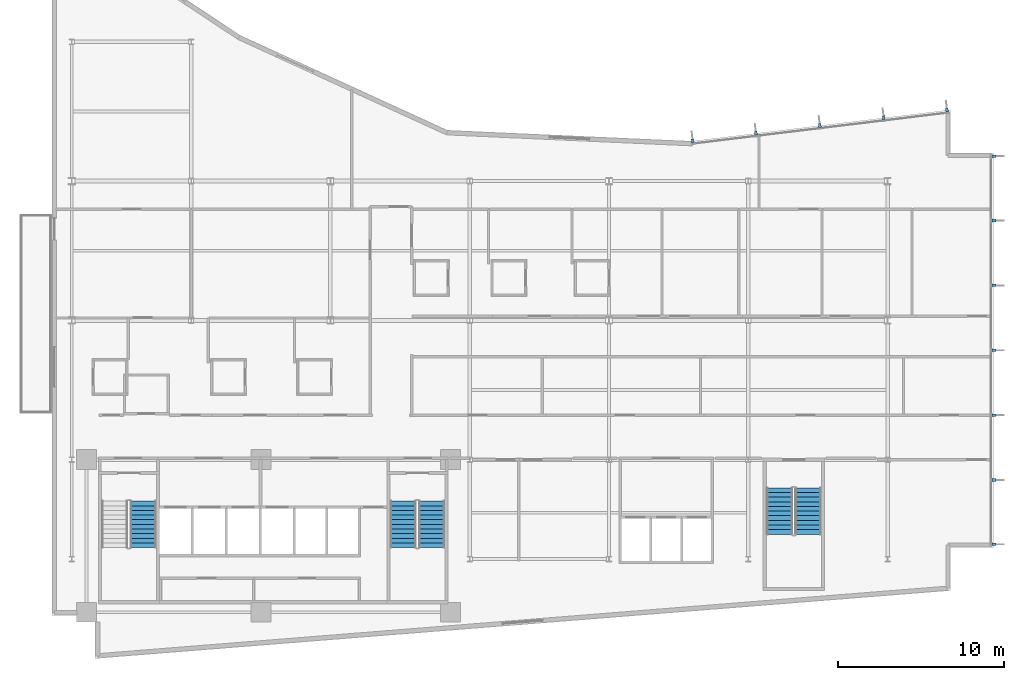
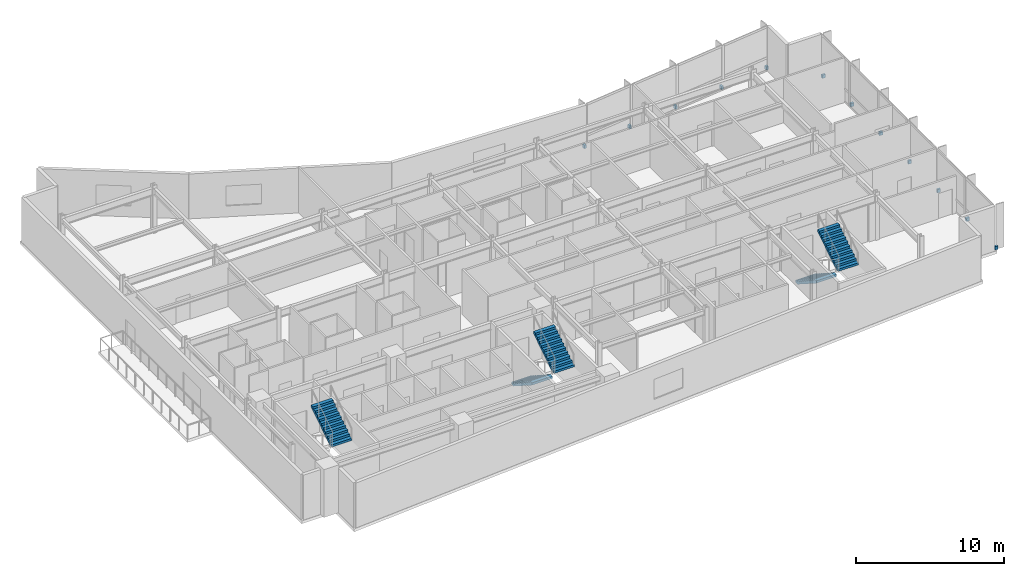
# One storey, part 14 of 18: 12 discrete accessories, 5 stair flights, 3 elements without a shape of their own.
"""IFC4 building model written with IfcOpenShell, lengths in metres."""

from ifc_helpers import new_model, si_unit, direction, frame, origin, origin_2d, place, context, subcontext, project, spatial, polyline, rectangle, outline, extrude, material, layer, layer_set, type_object, element, aggregate, save


model = new_model("IFC4")

# Units and contexts
model_context = context("Model", 3, precision=1e-05, world=origin(), true_north=direction((0.0, 1.0)))
body_context = subcontext(model_context, "Body", "Model", "MODEL_VIEW")
ifc_project = project(units=[si_unit("LENGTHUNIT", "METRE"), si_unit("AREAUNIT", "SQUARE_METRE"), si_unit("VOLUMEUNIT", "CUBIC_METRE"), si_unit("PLANEANGLEUNIT", "RADIAN"), si_unit("MASSUNIT", "GRAM", prefix="KILO")], contexts=[model_context])

# Site, building, storey
site_placement = place(None, origin())
site = spatial("IfcSite", under=ifc_project, at=site_placement, CompositionType="ELEMENT")
building_placement = place(site_placement, origin())
building = spatial("IfcBuilding", under=site, at=building_placement, Name="Varnakote Quay Hospital", CompositionType="ELEMENT")
storey_placement = place(building_placement, frame((0.0, 0.0, 123.10009765625)))
storey = spatial("IfcBuildingStorey", under=building, at=storey_placement, Name="L30", CompositionType="ELEMENT", Elevation=123.10009765625)

# Stair, stair flight
ifc_material_1 = material(Name="Concrete N40 (f'c 40 MPa)", Category="concrete")
stair_type = type_object("IfcStairType", Name="STR-CORE-1580", PredefinedType="HALF_TURN_STAIR", material=ifc_material_1)
stair_1_placement = place(storey_placement, origin())
stair_1 = element("IfcStair", 1, at=stair_1_placement, inside=storey, type_object=stair_type, Name="L30 Fire-Isolated Exit Stair ST-01", PredefinedType="HALF_TURN_STAIR")
ifc_material_2 = material(Name="Concrete N40 (f'c 40 MPa)", Category="concrete")
ifc_layer = layer(ifc_material_2, 0.159912109375)
ifc_layer_set = layer_set([ifc_layer], Name="Concrete N40 (f'c 40 MPa)")
stair_flight_type = type_object("IfcStairFlightType", Name="FLT-CORE-1580", PredefinedType="STRAIGHT", material=ifc_layer_set)
stair_flight_1_placement = place(storey_placement, frame((5.510009765625, 6.699951171875, 1.974853515625), z_axis=(0.0, 0.0, 1.0), x_axis=(0.0, 1.0, 0.0)))
stair_flight_1 = element("IfcStairFlight", 2, at=stair_flight_1_placement, type_object=stair_flight_type, Name="ST-01 flight 2", NumberOfRisers=11, NumberOfTreads=10, PredefinedType="STRAIGHT", RiserHeight=0.179545455, TreadLength=0.28, context=body_context, shape_type="SweptSolid", body=[
    extrude(outline(polyline([(0.0, 0.0), (0.0, 0.179443359375), (0.280029296875, 0.179443359375), (0.280029296875, 0.359130859375), (0.56005859375, 0.359130859375), (0.56005859375, 0.53857421875), (0.840087890625, 0.53857421875), (0.840087890625, 0.71826171875), (1.1201171875, 0.71826171875), (1.1201171875, 0.897705078125), (1.39990234375, 0.897705078125), (1.39990234375, 1.077392578125), (1.679931640625, 1.077392578125), (1.679931640625, 1.2568359375), (1.9599609375, 1.2568359375), (1.9599609375, 1.436279296875), (2.239990234375, 1.436279296875), (2.239990234375, 1.615966796875), (2.52001953125, 1.615966796875), (2.52001953125, 1.79541015625), (2.800048828125, 1.79541015625), (2.800048828125, 1.97509765625), (2.800048828125, 1.60546875), (0.296142578125, 0.0), (0.0, 0.0)])), frame((0.0, 0.7900390625, 0.0), z_axis=(0.0, -1.0, 0.0), x_axis=(1.0, 0.0, 0.0)), (0.0, 0.0, 1.0), 1.580078125),
])
aggregate(stair_1, [stair_flight_1])

# Stair, stair flights
stair_2_placement = place(storey_placement, origin())
stair_2 = element("IfcStair", 3, at=stair_2_placement, inside=storey, type_object=stair_type, Name="L30 Fire-Isolated Exit Stair ST-02", PredefinedType="HALF_TURN_STAIR")
stair_flight_2_placement = place(storey_placement, frame((21.18994140625, 9.5, 0.0), z_axis=(0.0, 0.0, 1.0), x_axis=(0.0, -1.0, 0.0)))
stair_flight_2 = element("IfcStairFlight", 4, at=stair_flight_2_placement, type_object=stair_flight_type, Name="ST-02 flight 1", NumberOfRisers=11, NumberOfTreads=10, PredefinedType="STRAIGHT", RiserHeight=0.179545455, TreadLength=0.28, context=body_context, shape_type="SweptSolid", body=[
    extrude(outline(polyline([(0.0, 0.0), (0.0, 0.179443359375), (0.280029296875, 0.179443359375), (0.280029296875, 0.359130859375), (0.56005859375, 0.359130859375), (0.56005859375, 0.53857421875), (0.840087890625, 0.53857421875), (0.840087890625, 0.71826171875), (1.1201171875, 0.71826171875), (1.1201171875, 0.897705078125), (1.39990234375, 0.897705078125), (1.39990234375, 1.077392578125), (1.679931640625, 1.077392578125), (1.679931640625, 1.2568359375), (1.9599609375, 1.2568359375), (1.9599609375, 1.436279296875), (2.239990234375, 1.436279296875), (2.239990234375, 1.615966796875), (2.52001953125, 1.615966796875), (2.52001953125, 1.79541015625), (2.800048828125, 1.79541015625), (2.800048828125, 1.97509765625), (2.800048828125, 1.60546875), (0.296142578125, 0.0), (0.0, 0.0)])), frame((0.0, 0.7900390625, 0.0), z_axis=(0.0, -1.0, 0.0), x_axis=(1.0, 0.0, 0.0)), (0.0, 0.0, 1.0), 1.580078125),
])
stair_flight_3_placement = place(storey_placement, frame((22.909912109375, 6.699951171875, 1.974853515625), z_axis=(0.0, 0.0, 1.0), x_axis=(0.0, 1.0, 0.0)))
stair_flight_3 = element("IfcStairFlight", 5, at=stair_flight_3_placement, type_object=stair_flight_type, Name="ST-02 flight 2", NumberOfRisers=11, NumberOfTreads=10, PredefinedType="STRAIGHT", RiserHeight=0.179545455, TreadLength=0.28, context=body_context, shape_type="SweptSolid", body=[
    extrude(outline(polyline([(0.0, 0.0), (0.0, 0.179443359375), (0.280029296875, 0.179443359375), (0.280029296875, 0.359130859375), (0.56005859375, 0.359130859375), (0.56005859375, 0.53857421875), (0.840087890625, 0.53857421875), (0.840087890625, 0.71826171875), (1.1201171875, 0.71826171875), (1.1201171875, 0.897705078125), (1.39990234375, 0.897705078125), (1.39990234375, 1.077392578125), (1.679931640625, 1.077392578125), (1.679931640625, 1.2568359375), (1.9599609375, 1.2568359375), (1.9599609375, 1.436279296875), (2.239990234375, 1.436279296875), (2.239990234375, 1.615966796875), (2.52001953125, 1.615966796875), (2.52001953125, 1.79541015625), (2.800048828125, 1.79541015625), (2.800048828125, 1.97509765625), (2.800048828125, 1.60546875), (0.296142578125, 0.0), (0.0, 0.0)])), frame((0.0, 0.7900390625, 0.0), z_axis=(0.0, -1.0, 0.0), x_axis=(1.0, 0.0, 0.0)), (0.0, 0.0, 1.0), 1.580078125),
])
aggregate(stair_2, [stair_flight_2, stair_flight_3])

stair_3_placement = place(storey_placement, origin())
stair_3 = element("IfcStair", 6, at=stair_3_placement, inside=storey, type_object=stair_type, Name="L30 Fire-Isolated Exit Stair ST-03", PredefinedType="HALF_TURN_STAIR")
stair_flight_4_placement = place(storey_placement, frame((43.889892578125, 10.300048828125, 0.0), z_axis=(0.0, 0.0, 1.0), x_axis=(0.0, -1.0, 0.0)))
stair_flight_4 = element("IfcStairFlight", 7, at=stair_flight_4_placement, type_object=stair_flight_type, Name="ST-03 flight 1", NumberOfRisers=11, NumberOfTreads=10, PredefinedType="STRAIGHT", RiserHeight=0.179545455, TreadLength=0.28, context=body_context, shape_type="SweptSolid", body=[
    extrude(outline(polyline([(0.0, 0.0), (0.0, 0.179443359375), (0.280029296875, 0.179443359375), (0.280029296875, 0.359130859375), (0.56005859375, 0.359130859375), (0.56005859375, 0.53857421875), (0.840087890625, 0.53857421875), (0.840087890625, 0.71826171875), (1.1201171875, 0.71826171875), (1.1201171875, 0.897705078125), (1.39990234375, 0.897705078125), (1.39990234375, 1.077392578125), (1.679931640625, 1.077392578125), (1.679931640625, 1.2568359375), (1.9599609375, 1.2568359375), (1.9599609375, 1.436279296875), (2.239990234375, 1.436279296875), (2.239990234375, 1.615966796875), (2.52001953125, 1.615966796875), (2.52001953125, 1.79541015625), (2.800048828125, 1.79541015625), (2.800048828125, 1.97509765625), (2.800048828125, 1.60546875), (0.296142578125, 0.0), (0.0, 0.0)])), frame((0.0, 0.7900390625, 0.0), z_axis=(0.0, -1.0, 0.0), x_axis=(1.0, 0.0, 0.0)), (0.0, 0.0, 1.0), 1.580078125),
])
stair_flight_5_placement = place(storey_placement, frame((45.610107421875, 7.5, 1.974853515625), z_axis=(0.0, 0.0, 1.0), x_axis=(0.0, 1.0, 0.0)))
stair_flight_5 = element("IfcStairFlight", 8, at=stair_flight_5_placement, type_object=stair_flight_type, Name="ST-03 flight 2", NumberOfRisers=11, NumberOfTreads=10, PredefinedType="STRAIGHT", RiserHeight=0.179545455, TreadLength=0.28, context=body_context, shape_type="SweptSolid", body=[
    extrude(outline(polyline([(0.0, 0.0), (0.0, 0.179443359375), (0.280029296875, 0.179443359375), (0.280029296875, 0.359130859375), (0.56005859375, 0.359130859375), (0.56005859375, 0.53857421875), (0.840087890625, 0.53857421875), (0.840087890625, 0.71826171875), (1.1201171875, 0.71826171875), (1.1201171875, 0.897705078125), (1.39990234375, 0.897705078125), (1.39990234375, 1.077392578125), (1.679931640625, 1.077392578125), (1.679931640625, 1.2568359375), (1.9599609375, 1.2568359375), (1.9599609375, 1.436279296875), (2.239990234375, 1.436279296875), (2.239990234375, 1.615966796875), (2.52001953125, 1.615966796875), (2.52001953125, 1.79541015625), (2.800048828125, 1.79541015625), (2.800048828125, 1.97509765625), (2.800048828125, 1.60546875), (0.296142578125, 0.0), (0.0, 0.0)])), frame((0.0, 0.7900390625, 0.0), z_axis=(0.0, -1.0, 0.0), x_axis=(1.0, 0.0, 0.0)), (0.0, 0.0, 1.0), 1.580078125),
])
aggregate(stair_3, [stair_flight_4, stair_flight_5])

# Discrete accessories
ifc_material_3 = material(Name="Anodised aluminium 6063-T6 Bronze", Category="aluminium")
discrete_accessory_type = type_object("IfcDiscreteAccessoryType", Name="ACC-FIN-BRACKET-180", PredefinedType="BRACKET", material=ifc_material_3)
for number, where, z_axis, x_axis, name in (
    (9, (56.81005859375, 6.8974609375, 0.0), (0.0, 0.0, 1.0), (0.0, 1.0, 0.0), "L30 Curtain Wall Fin Fixing Bracket"),
    (10, (56.81005859375, 10.773193359375, 0.0), (0.0, 0.0, 1.0), (0.0, 1.0, 0.0), "L30 Curtain Wall Fin Fixing Bracket"),
    (11, (56.81005859375, 14.686767578125, 0.0), (0.0, 0.0, 1.0), (0.0, 1.0, 0.0), "L30 Curtain Wall Fin Fixing Bracket"),
    (12, (56.81005859375, 18.60009765625, 0.0), (0.0, 0.0, 1.0), (0.0, 1.0, 0.0), "L30 Curtain Wall Fin Fixing Bracket"),
    (13, (56.81005859375, 22.51318359375, 0.0), (0.0, 0.0, 1.0), (0.0, 1.0, 0.0), "L30 Curtain Wall Fin Fixing Bracket"),
    (14, (56.81005859375, 26.4267578125, 0.0), (0.0, 0.0, 1.0), (0.0, 1.0, 0.0), "L30 Curtain Wall Fin Fixing Bracket"),
    (15, (56.81005859375, 30.302490234375, 0.0), (0.0, 0.0, 1.0), (0.0, 1.0, 0.0), "L30 Curtain Wall Fin Fixing Bracket"),
    (16, (53.982421875, 33.083740234375, 0.0), (0.0, 0.0, 1.0), (-0.992736358975, -0.120310105847, 0.0), "L30 Curtain Wall Fin Fixing Bracket"),
    (17, (50.1669921875, 32.62109375, 0.0), (0.0, 0.0, 1.0), (-0.992736358975, -0.120310105847, 0.0), "L30 Curtain Wall Fin Fixing Bracket"),
    (18, (46.314697265625, 32.154296875, 0.0), (0.0, 0.0, 1.0), (-0.992736358975, -0.120310105847, 0.0), "L30 Curtain Wall Fin Fixing Bracket"),
    (19, (42.462158203125, 31.687255859375, 0.0), (0.0, 0.0, 1.0), (-0.992736358975, -0.120310105847, 0.0), "L30 Curtain Wall Fin Fixing Bracket"),
    (20, (38.64697265625, 31.224853515625, 0.0), (0.0, 0.0, 1.0), (-0.992736358975, -0.120310105847, 0.0), "L30 Curtain Wall Fin Fixing Bracket"),
):
    element("IfcDiscreteAccessory", number, at=place(storey_placement, frame(where, z_axis=z_axis, x_axis=x_axis)), inside=storey, type_object=discrete_accessory_type, Name=name, PredefinedType="BRACKET", context=body_context, shape_type="SweptSolid", body=[
        extrude(rectangle(XDim=0.159912109375, YDim=0.239990234375, at=origin_2d()), origin(), (0.0, 0.0, 1.0), 0.280029296875),
    ])

save(model, "model.ifc")
